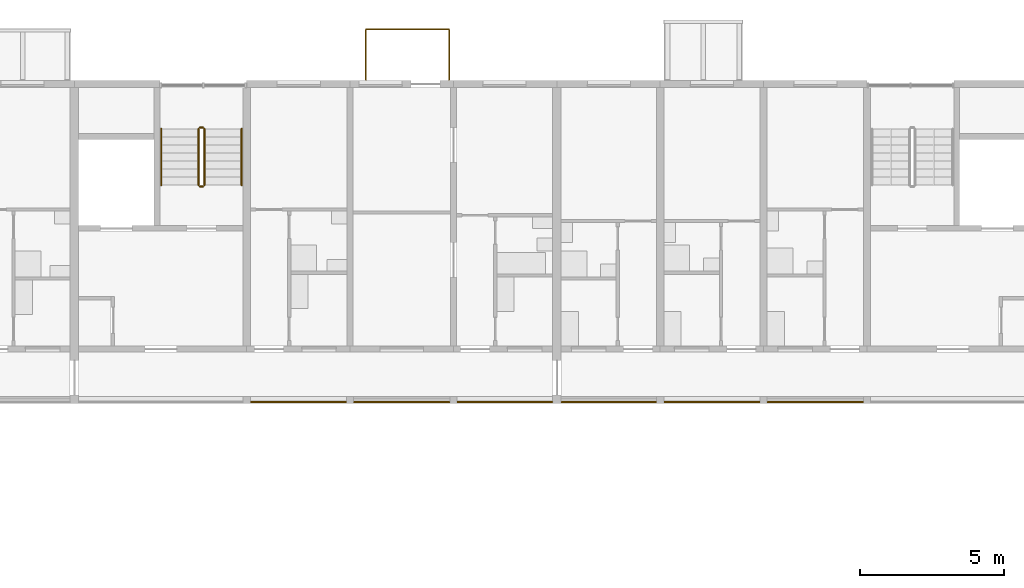
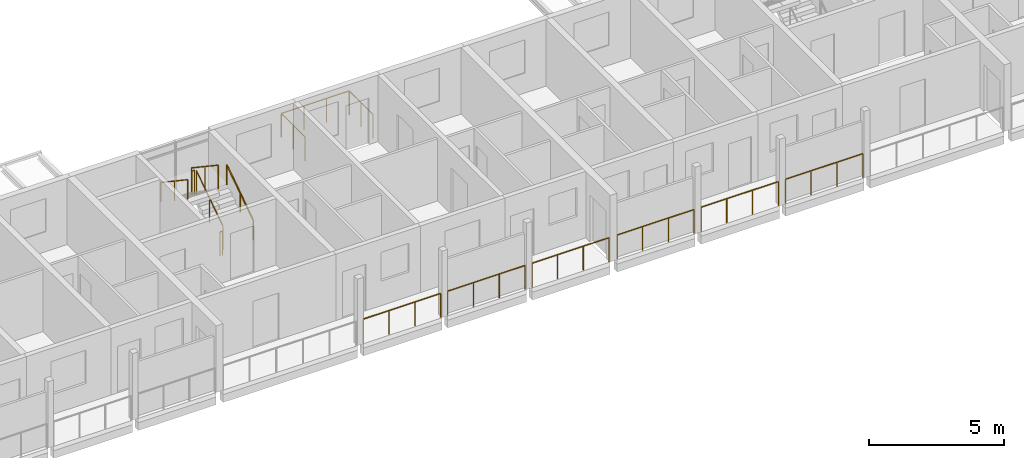
# One storey, part 111 of 115: 13 railings.
"""IFC4 building model written with IfcOpenShell, lengths in metres."""

from ifc_helpers import new_model, si_unit, direction, frame, origin, origin_2d, place, context, subcontext, project, spatial, circle, extrude, material, type_object, element, save


model = new_model("IFC4")

# Units and contexts
model_context = context("Model", 3, precision=1e-05, world=origin(), true_north=direction((0.0, 1.0)))
body_context = subcontext(model_context, "Body", "Model", "MODEL_VIEW")
ifc_project = project(units=[si_unit("LENGTHUNIT", "METRE"), si_unit("AREAUNIT", "SQUARE_METRE"), si_unit("VOLUMEUNIT", "CUBIC_METRE"), si_unit("PLANEANGLEUNIT", "RADIAN"), si_unit("MASSUNIT", "GRAM", prefix="KILO")], contexts=[model_context])

# Site, building, storey
site_placement = place(None, origin())
site = spatial("IfcSite", under=ifc_project, at=site_placement, CompositionType="ELEMENT")
building_placement = place(site_placement, origin())
building = spatial("IfcBuilding", under=site, at=building_placement, Name="Ridgestep Commons", CompositionType="ELEMENT")
storey_placement = place(building_placement, frame((0.0, 0.0, 6.0)))
storey = spatial("IfcBuildingStorey", under=building, at=storey_placement, Name="L02", CompositionType="ELEMENT", Elevation=6.0)

# Railings
ifc_material_1 = material(Name="Structural steel S355JR", Category="steel")
railing_type_1 = type_object("IfcRailingType", Name="Guard 1100", PredefinedType="GUARDRAIL", material=ifc_material_1)
railing_1_placement = place(storey_placement, frame((203.345947265625, 66.050048828125, 0.0)))
element("IfcRailing", 1, at=railing_1_placement, inside=storey, type_object=railing_type_1, Name="Gallery guard C 02.14", PredefinedType="GUARDRAIL", context=body_context, shape_type="SweptSolid", body=[
    extrude(circle(Radius=0.02392578125, at=origin_2d()), frame((0.0, 0.0, 1.076171875), z_axis=(1.0, 0.0, 0.0), x_axis=(0.0, 1.0, 0.0)), (0.0, 0.0, 1.0), 3.30810546875),
    extrude(circle(Radius=0.02099609375, at=origin_2d()), origin(), (0.0, 0.0, 1.0), 1.052001953125),
    extrude(circle(Radius=0.02099609375, at=origin_2d()), frame((1.102783203125, 0.0, 0.0)), (0.0, 0.0, 1.0), 1.052001953125),
    extrude(circle(Radius=0.02099609375, at=origin_2d()), frame((2.205322265625, 0.0, 0.0)), (0.0, 0.0, 1.0), 1.052001953125),
    extrude(circle(Radius=0.02099609375, at=origin_2d()), frame((3.30810546875, 0.0, 0.0)), (0.0, 0.0, 1.0), 1.052001953125),
])
railing_2_placement = place(storey_placement, frame((206.946044921875, 66.050048828125, 0.0)))
element("IfcRailing", 2, at=railing_2_placement, inside=storey, type_object=railing_type_1, Name="Gallery guard C 02.15", PredefinedType="GUARDRAIL", context=body_context, shape_type="SweptSolid", body=[
    extrude(circle(Radius=0.02392578125, at=origin_2d()), frame((0.0, 0.0, 1.076171875), z_axis=(1.0, 0.0, 0.0), x_axis=(0.0, 1.0, 0.0)), (0.0, 0.0, 1.0), 3.307861328125),
    extrude(circle(Radius=0.02099609375, at=origin_2d()), origin(), (0.0, 0.0, 1.0), 1.052001953125),
    extrude(circle(Radius=0.02099609375, at=origin_2d()), frame((1.1025390625, 0.0, 0.0)), (0.0, 0.0, 1.0), 1.052001953125),
    extrude(circle(Radius=0.02099609375, at=origin_2d()), frame((2.205322265625, 0.0, 0.0)), (0.0, 0.0, 1.0), 1.052001953125),
    extrude(circle(Radius=0.02099609375, at=origin_2d()), frame((3.307861328125, 0.0, 0.0)), (0.0, 0.0, 1.0), 1.052001953125),
])
for number, where, name in (
    (3, (210.5458984375, 66.050048828125, 0.0), "Gallery guard C 02.16"),
    (4, (214.1708984375, 66.050048828125, 0.0), "Gallery guard C 02.17"),
):
    element("IfcRailing", number, at=place(storey_placement, frame(where)), inside=storey, type_object=railing_type_1, Name=name, PredefinedType="GUARDRAIL", context=body_context, shape_type="SweptSolid", body=[
        extrude(circle(Radius=0.02392578125, at=origin_2d()), frame((0.0, 0.0, 1.076171875), z_axis=(1.0, 0.0, 0.0), x_axis=(0.0, 1.0, 0.0)), (0.0, 0.0, 1.0), 3.283203125),
        extrude(circle(Radius=0.02099609375, at=origin_2d()), origin(), (0.0, 0.0, 1.0), 1.052001953125),
        extrude(circle(Radius=0.02099609375, at=origin_2d()), frame((1.094482421875, 0.0, 0.0)), (0.0, 0.0, 1.0), 1.052001953125),
        extrude(circle(Radius=0.02099609375, at=origin_2d()), frame((2.188720703125, 0.0, 0.0)), (0.0, 0.0, 1.0), 1.052001953125),
        extrude(circle(Radius=0.02099609375, at=origin_2d()), frame((3.283203125, 0.0, 0.0)), (0.0, 0.0, 1.0), 1.052001953125),
    ])
railing_3_placement = place(storey_placement, frame((217.74609375, 66.050048828125, 0.0)))
element("IfcRailing", 5, at=railing_3_placement, inside=storey, type_object=railing_type_1, Name="Gallery guard C 02.18", PredefinedType="GUARDRAIL", context=body_context, shape_type="SweptSolid", body=[
    extrude(circle(Radius=0.02392578125, at=origin_2d()), frame((0.0, 0.0, 1.076171875), z_axis=(1.0, 0.0, 0.0), x_axis=(0.0, 1.0, 0.0)), (0.0, 0.0, 1.0), 3.307861328125),
    extrude(circle(Radius=0.02099609375, at=origin_2d()), origin(), (0.0, 0.0, 1.0), 1.052001953125),
    extrude(circle(Radius=0.02099609375, at=origin_2d()), frame((1.1025390625, 0.0, 0.0)), (0.0, 0.0, 1.0), 1.052001953125),
    extrude(circle(Radius=0.02099609375, at=origin_2d()), frame((2.205322265625, 0.0, 0.0)), (0.0, 0.0, 1.0), 1.052001953125),
    extrude(circle(Radius=0.02099609375, at=origin_2d()), frame((3.307861328125, 0.0, 0.0)), (0.0, 0.0, 1.0), 1.052001953125),
])
railing_4_placement = place(storey_placement, frame((221.345947265625, 66.050048828125, 0.0)))
element("IfcRailing", 6, at=railing_4_placement, inside=storey, type_object=railing_type_1, Name="Gallery guard C 02.19", PredefinedType="GUARDRAIL", context=body_context, shape_type="SweptSolid", body=[
    extrude(circle(Radius=0.02392578125, at=origin_2d()), frame((0.0, 0.0, 1.076171875), z_axis=(1.0, 0.0, 0.0), x_axis=(0.0, 1.0, 0.0)), (0.0, 0.0, 1.0), 3.30810546875),
    extrude(circle(Radius=0.02099609375, at=origin_2d()), origin(), (0.0, 0.0, 1.0), 1.052001953125),
    extrude(circle(Radius=0.02099609375, at=origin_2d()), frame((1.102783203125, 0.0, 0.0)), (0.0, 0.0, 1.0), 1.052001953125),
    extrude(circle(Radius=0.02099609375, at=origin_2d()), frame((2.205322265625, 0.0, 0.0)), (0.0, 0.0, 1.0), 1.052001953125),
    extrude(circle(Radius=0.02099609375, at=origin_2d()), frame((3.30810546875, 0.0, 0.0)), (0.0, 0.0, 1.0), 1.052001953125),
])
ifc_material_2 = material(Name="Structural steel S355JR", Category="steel")
railing_type_2 = type_object("IfcRailingType", Name="Stair guard 1100", PredefinedType="GUARDRAIL", material=ifc_material_2)
railing_5_placement = place(storey_placement, frame((201.72509765625, 73.60009765625, 0.1875)))
element("IfcRailing", 7, at=railing_5_placement, inside=storey, type_object=railing_type_2, Name="L02 C4C stair guard 1", PredefinedType="GUARDRAIL", context=body_context, shape_type="SweptSolid", body=[
    extrude(circle(Radius=0.02392578125, at=origin_2d()), frame((0.0, 0.0, 1.076171875), z_axis=(0.0, 0.830902050051, 0.556418712142), x_axis=(-1.0, 0.0, 0.0)), (0.0, 0.0, 1.0), 2.35888671875),
    extrude(circle(Radius=0.02099609375, at=origin_2d()), origin(), (0.0, 0.0, 1.0), 1.052001953125),
    extrude(circle(Radius=0.02099609375, at=origin_2d()), frame((0.0, 0.97998046875, 0.65625)), (0.0, 0.0, 1.0), 1.052001953125),
    extrude(circle(Radius=0.02099609375, at=origin_2d()), frame((0.0, 1.9599609375, 1.3125)), (0.0, 0.0, 1.0), 1.052001953125),
])
railing_6_placement = place(storey_placement, frame((201.675048828125, 75.610107421875, 1.5)))
element("IfcRailing", 8, at=railing_6_placement, inside=storey, type_object=railing_type_2, Name="L02 C4C stair guard 2", PredefinedType="GUARDRAIL", context=body_context, shape_type="SweptSolid", body=[
    extrude(circle(Radius=0.02392578125, at=origin_2d()), frame((0.0, 0.0, 1.076171875), z_axis=(-1.0, 0.0, 0.0), x_axis=(0.0, -1.0, 0.0)), (0.0, 0.0, 1.0), 0.10009765625),
    extrude(circle(Radius=0.02099609375, at=origin_2d()), origin(), (0.0, 0.0, 1.0), 1.052001953125),
    extrude(circle(Radius=0.02099609375, at=origin_2d()), frame((-0.10009765625, 0.0, 0.0)), (0.0, 0.0, 1.0), 1.052001953125),
])
railing_7_placement = place(storey_placement, frame((201.52490234375, 75.56005859375, 1.6875)))
element("IfcRailing", 9, at=railing_7_placement, inside=storey, type_object=railing_type_2, Name="L02 C4C stair guard 3", PredefinedType="GUARDRAIL", context=body_context, shape_type="SweptSolid", body=[
    extrude(circle(Radius=0.02392578125, at=origin_2d()), frame((0.0, 0.0, 1.076171875), z_axis=(0.0, -0.830902050051, 0.556418712142), x_axis=(1.0, 0.0, 0.0)), (0.0, 0.0, 1.0), 2.35888671875),
    extrude(circle(Radius=0.02099609375, at=origin_2d()), origin(), (0.0, 0.0, 1.0), 1.052001953125),
    extrude(circle(Radius=0.02099609375, at=origin_2d()), frame((0.0, -0.97998046875, 0.65625)), (0.0, 0.0, 1.0), 1.052001953125),
    extrude(circle(Radius=0.02099609375, at=origin_2d()), frame((0.0, -1.9599609375, 1.3125)), (0.0, 0.0, 1.0), 1.052001953125),
])
railing_8_placement = place(storey_placement, frame((201.675048828125, 73.550048828125, 0.0)))
element("IfcRailing", 10, at=railing_8_placement, inside=storey, type_object=railing_type_2, Name="L02 C4C stair guard 4", PredefinedType="GUARDRAIL", context=body_context, shape_type="SweptSolid", body=[
    extrude(circle(Radius=0.02392578125, at=origin_2d()), frame((0.0, 0.0, 1.076171875), z_axis=(-1.0, 0.0, 0.0), x_axis=(0.0, -1.0, 0.0)), (0.0, 0.0, 1.0), 0.10009765625),
    extrude(circle(Radius=0.02099609375, at=origin_2d()), origin(), (0.0, 0.0, 1.0), 1.052001953125),
    extrude(circle(Radius=0.02099609375, at=origin_2d()), frame((-0.10009765625, 0.0, 0.0)), (0.0, 0.0, 1.0), 1.052001953125),
])
ifc_material_3 = material(Name="Structural steel S355JR", Category="steel")
railing_type_3 = type_object("IfcRailingType", Name="Stair handrail 900", PredefinedType="HANDRAIL", material=ifc_material_3)
railing_9_placement = place(storey_placement, frame((203.02490234375, 73.60009765625, 0.1875)))
element("IfcRailing", 11, at=railing_9_placement, inside=storey, type_object=railing_type_3, Name="L02 C4C stair handrail 1", PredefinedType="HANDRAIL", context=body_context, shape_type="SweptSolid", body=[
    extrude(circle(Radius=0.02392578125, at=origin_2d()), frame((0.0, 0.0, 0.8759765625), z_axis=(0.0, 0.830902050051, 0.556418712142), x_axis=(-1.0, 0.0, 0.0)), (0.0, 0.0, 1.0), 2.35888671875),
    extrude(circle(Radius=0.02099609375, at=origin_2d()), origin(), (0.0, 0.0, 1.0), 0.851806640625),
    extrude(circle(Radius=0.02099609375, at=origin_2d()), frame((0.0, 0.97998046875, 0.65625)), (0.0, 0.0, 1.0), 0.851806640625),
    extrude(circle(Radius=0.02099609375, at=origin_2d()), frame((0.0, 1.9599609375, 1.3125)), (0.0, 0.0, 1.0), 0.851806640625),
])
railing_10_placement = place(storey_placement, frame((200.22509765625, 75.56005859375, 1.6875)))
element("IfcRailing", 12, at=railing_10_placement, inside=storey, type_object=railing_type_3, Name="L02 C4C stair handrail 2", PredefinedType="HANDRAIL", context=body_context, shape_type="SweptSolid", body=[
    extrude(circle(Radius=0.02392578125, at=origin_2d()), frame((0.0, 0.0, 0.8759765625), z_axis=(0.0, -0.830902050051, 0.556418712142), x_axis=(1.0, 0.0, 0.0)), (0.0, 0.0, 1.0), 2.35888671875),
    extrude(circle(Radius=0.02099609375, at=origin_2d()), origin(), (0.0, 0.0, 1.0), 0.851806640625),
    extrude(circle(Radius=0.02099609375, at=origin_2d()), frame((0.0, -0.97998046875, 0.65625)), (0.0, 0.0, 1.0), 0.851806640625),
    extrude(circle(Radius=0.02099609375, at=origin_2d()), frame((0.0, -1.9599609375, 1.3125)), (0.0, 0.0, 1.0), 0.851806640625),
])
ifc_material_4 = material(Name="Weathering steel S355J2W", Category="steel")
railing_type_4 = type_object("IfcRailingType", Name="Tray guard 1100", PredefinedType="GUARDRAIL", material=ifc_material_4)
railing_11_placement = place(storey_placement, frame((207.35107421875, 77.27099609375, 0.0)))
element("IfcRailing", 13, at=railing_11_placement, inside=storey, type_object=railing_type_4, Name="Tray guard C4T2-02", PredefinedType="GUARDRAIL", context=body_context, shape_type="SweptSolid", body=[
    extrude(circle(Radius=0.02392578125, at=origin_2d()), frame((0.0, 0.0, 1.076171875), z_axis=(0.0, 1.0, 0.0), x_axis=(-1.0, 0.0, 0.0)), (0.0, 0.0, 1.0), 1.758056640625),
    extrude(circle(Radius=0.02392578125, at=origin_2d()), frame((0.0, 1.758056640625, 1.076171875), z_axis=(1.0, 0.0, 0.0), x_axis=(0.0, 1.0, 0.0)), (0.0, 0.0, 1.0), 2.89794921875),
    extrude(circle(Radius=0.02392578125, at=origin_2d()), frame((2.89794921875, 1.758056640625, 1.076171875), z_axis=(0.0, -1.0, 0.0), x_axis=(1.0, 0.0, 0.0)), (0.0, 0.0, 1.0), 1.758056640625),
    extrude(circle(Radius=0.02099609375, at=origin_2d()), origin(), (0.0, 0.0, 1.0), 1.052001953125),
    extrude(circle(Radius=0.02099609375, at=origin_2d()), frame((0.0, 0.87890625, 0.0)), (0.0, 0.0, 1.0), 1.052001953125),
    extrude(circle(Radius=0.02099609375, at=origin_2d()), frame((0.0, 1.758056640625, 0.0)), (0.0, 0.0, 1.0), 1.052001953125),
    extrude(circle(Radius=0.02099609375, at=origin_2d()), frame((0.966064453125, 1.758056640625, 0.0)), (0.0, 0.0, 1.0), 1.052001953125),
    extrude(circle(Radius=0.02099609375, at=origin_2d()), frame((1.931884765625, 1.758056640625, 0.0)), (0.0, 0.0, 1.0), 1.052001953125),
    extrude(circle(Radius=0.02099609375, at=origin_2d()), frame((2.89794921875, 1.758056640625, 0.0)), (0.0, 0.0, 1.0), 1.052001953125),
    extrude(circle(Radius=0.02099609375, at=origin_2d()), frame((2.89794921875, 0.87890625, 0.0)), (0.0, 0.0, 1.0), 1.052001953125),
    extrude(circle(Radius=0.02099609375, at=origin_2d()), frame((2.89794921875, 0.0, 0.0)), (0.0, 0.0, 1.0), 1.052001953125),
])

save(model, "model.ifc")
